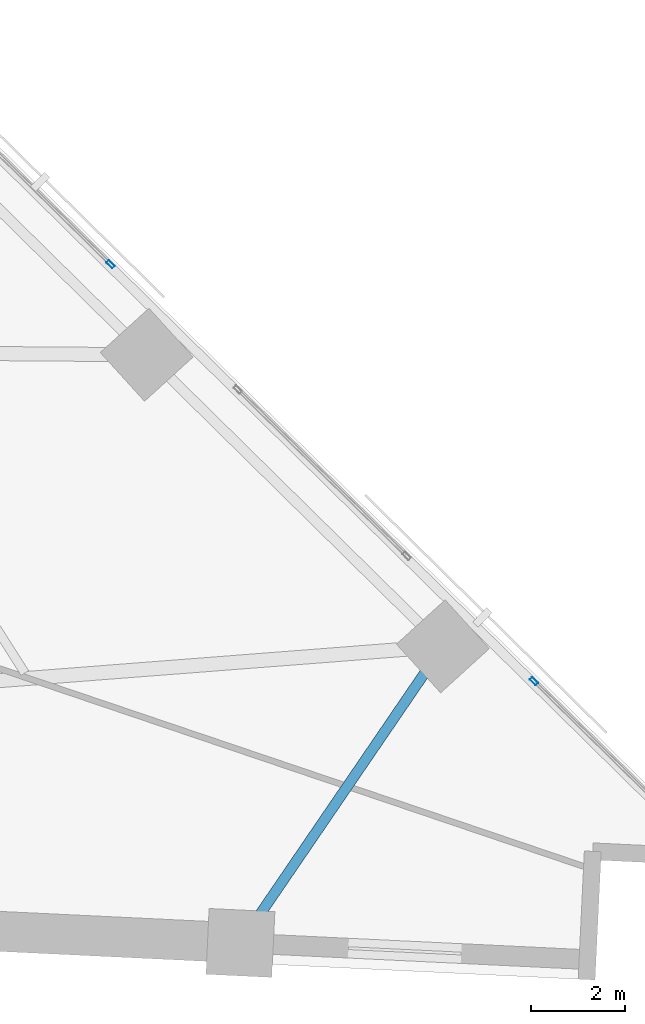
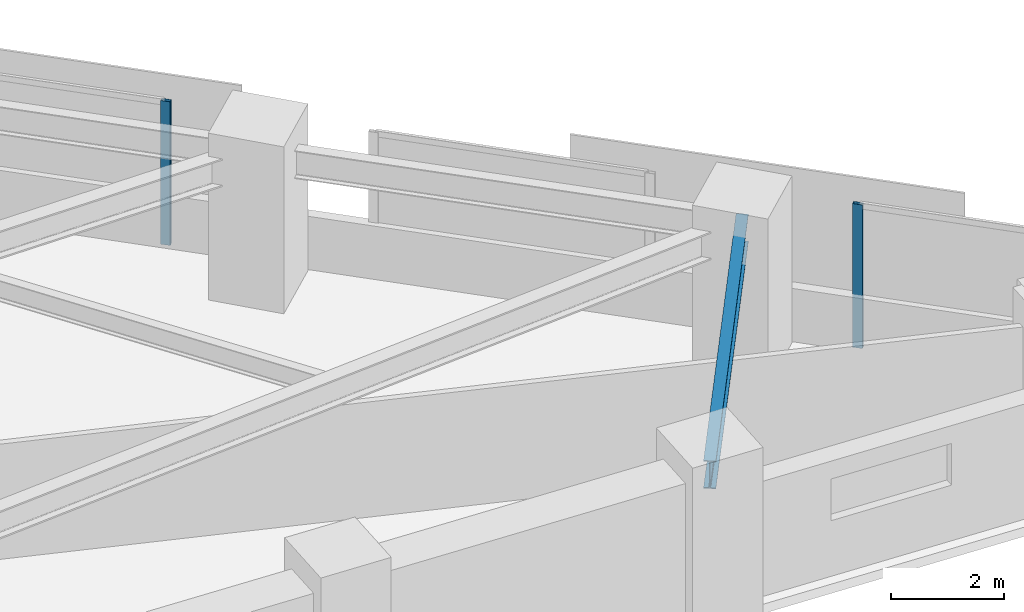
# One storey, part 4 of 17: 2 members, 1 beam, 2 elements without a shape of their own.
"""IFC4 building model written with IfcOpenShell, lengths in metres."""

from ifc_helpers import new_model, si_unit, direction, frame, origin, origin_2d, place, context, subcontext, project, spatial, hollow_rectangle, i_section, extrude, material, material_profile, profile_set, type_object, element, aggregate, save


model = new_model("IFC4")

# Units and contexts
model_context = context("Model", 3, precision=1e-05, world=origin(), true_north=direction((0.0, 1.0)))
body_context = subcontext(model_context, "Body", "Model", "MODEL_VIEW")
ifc_project = project(units=[si_unit("LENGTHUNIT", "METRE"), si_unit("AREAUNIT", "SQUARE_METRE"), si_unit("VOLUMEUNIT", "CUBIC_METRE"), si_unit("PLANEANGLEUNIT", "RADIAN"), si_unit("MASSUNIT", "GRAM", prefix="KILO")], contexts=[model_context])

# Site, building, storey
site_placement = place(None, origin())
site = spatial("IfcSite", under=ifc_project, at=site_placement, CompositionType="ELEMENT")
building_placement = place(site_placement, origin())
building = spatial("IfcBuilding", under=site, at=building_placement, Name="Narakoshi Arena Tower", CompositionType="ELEMENT")
storey_placement = place(building_placement, frame((0.0, 0.0, 55.5)))
storey = spatial("IfcBuildingStorey", under=building, at=storey_placement, Name="L14", CompositionType="ELEMENT", Elevation=55.5)

# Beam
ifc_material_1 = material(Name="Structural steel S355J2", Category="steel")
ifc_material_profile_1 = material_profile(ifc_material_1, i_section(OverallWidth=0.219970703125, OverallDepth=0.60009765625, WebThickness=0.011962890625, FlangeThickness=0.01904296875, FilletRadius=0.02392578125, at=origin_2d()), Name="IPE600")
ifc_profile_set_1 = profile_set([ifc_material_profile_1], Name="Structural steel S355J2")
beam_type = type_object("IfcBeamType", Name="BM-EDGE-600", PredefinedType="BEAM", material=ifc_profile_set_1)
beam_placement = place(storey_placement, frame((110.636474609375, 30.661865234375, 2.800048828125), z_axis=(0.563755333308, 0.825941840668, 0.0), x_axis=(-0.825941840668, 0.563755333308, 0.0)))
element("IfcBeam", 1, at=beam_placement, inside=storey, type_object=beam_type, Name="L14 Perimeter Edge Girder 04", PredefinedType="BEAM", context=body_context, shape_type="SweptSolid", body=[
    extrude(i_section(OverallWidth=0.219970703125, OverallDepth=0.60009765625, WebThickness=0.011962890625, FlangeThickness=0.01904296875, FilletRadius=0.02392578125, at=origin_2d()), origin(), (0.0, 0.0, 1.0), 7.637451171875),
])

# Curtain wall, member
ifc_material_2 = material(Name="Anodised bronze aluminium 6063-T6", Category="aluminium")
curtain_wall_type = type_object("IfcCurtainWallType", Name="CW-HYP-LOW", PredefinedType="NOTDEFINED", material=ifc_material_2)
curtain_wall_1_placement = place(storey_placement, origin())
curtain_wall_1 = element("IfcCurtainWall", 2, at=curtain_wall_1_placement, inside=storey, type_object=curtain_wall_type, Name="L14 Folded Hypotenuse Curtain Wall 1-1", PredefinedType="NOTDEFINED")
ifc_material_profile_2 = material_profile(ifc_material_2, hollow_rectangle(XDim=0.074951171875, YDim=0.179931640625, WallThickness=0.00390625, OuterFilletRadius=0.0048828125, at=origin_2d()), Name="MUL180x75x4")
ifc_profile_set_2 = profile_set([ifc_material_profile_2], Name="Anodised bronze aluminium 6063-T6")
member_type = type_object("IfcMemberType", Name="MEM-MUL-180", PredefinedType="MULLION", material=ifc_profile_set_2)
member_1_placement = place(storey_placement, frame((116.87744140625, 36.229248046875, 0.0), z_axis=(0.0, 0.0, 1.0), x_axis=(-0.701630192894, -0.712541277695, 0.0)))
member_1 = element("IfcMember", 3, at=member_1_placement, type_object=member_type, Name="CW-01 mullion 2", PredefinedType="MULLION", context=body_context, shape_type="SweptSolid", body=[
    extrude(hollow_rectangle(XDim=0.074951171875, YDim=0.179931640625, WallThickness=0.00390625, OuterFilletRadius=0.0048828125, at=origin_2d()), origin(), (0.0, 0.0, 1.0), 3.10009765625),
])
aggregate(curtain_wall_1, [member_1])

curtain_wall_2_placement = place(storey_placement, origin())
curtain_wall_2 = element("IfcCurtainWall", 4, at=curtain_wall_2_placement, inside=storey, type_object=curtain_wall_type, Name="L14 Folded Hypotenuse Curtain Wall 1-3", PredefinedType="NOTDEFINED")
member_2_placement = place(storey_placement, frame((107.872802734375, 45.095947265625, 0.0), z_axis=(0.0, 0.0, 1.0), x_axis=(-0.701632802488, -0.712538708053, 0.0)))
member_2 = element("IfcMember", 5, at=member_2_placement, type_object=member_type, Name="CW-01 mullion 1", PredefinedType="MULLION", context=body_context, shape_type="SweptSolid", body=[
    extrude(hollow_rectangle(XDim=0.074951171875, YDim=0.179931640625, WallThickness=0.00390625, OuterFilletRadius=0.0048828125, at=origin_2d()), origin(), (0.0, 0.0, 1.0), 3.10009765625),
])
aggregate(curtain_wall_2, [member_2])

save(model, "model.ifc")
